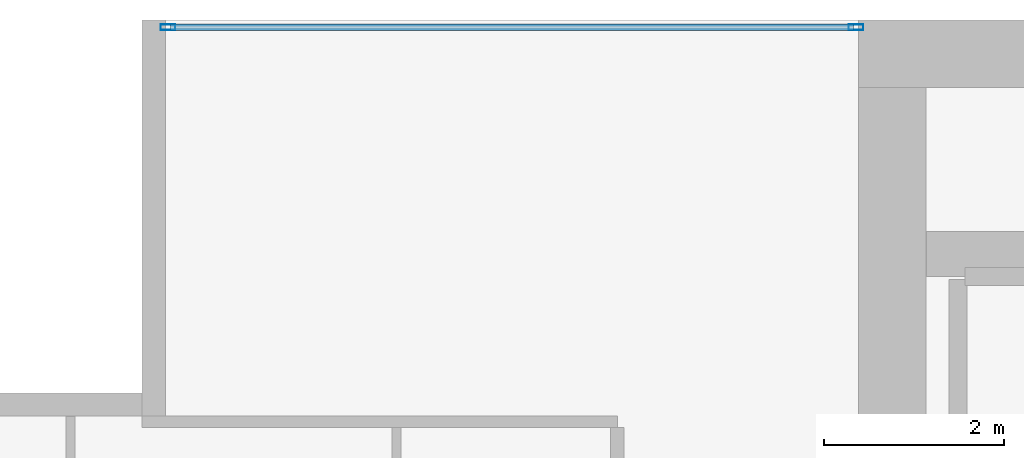
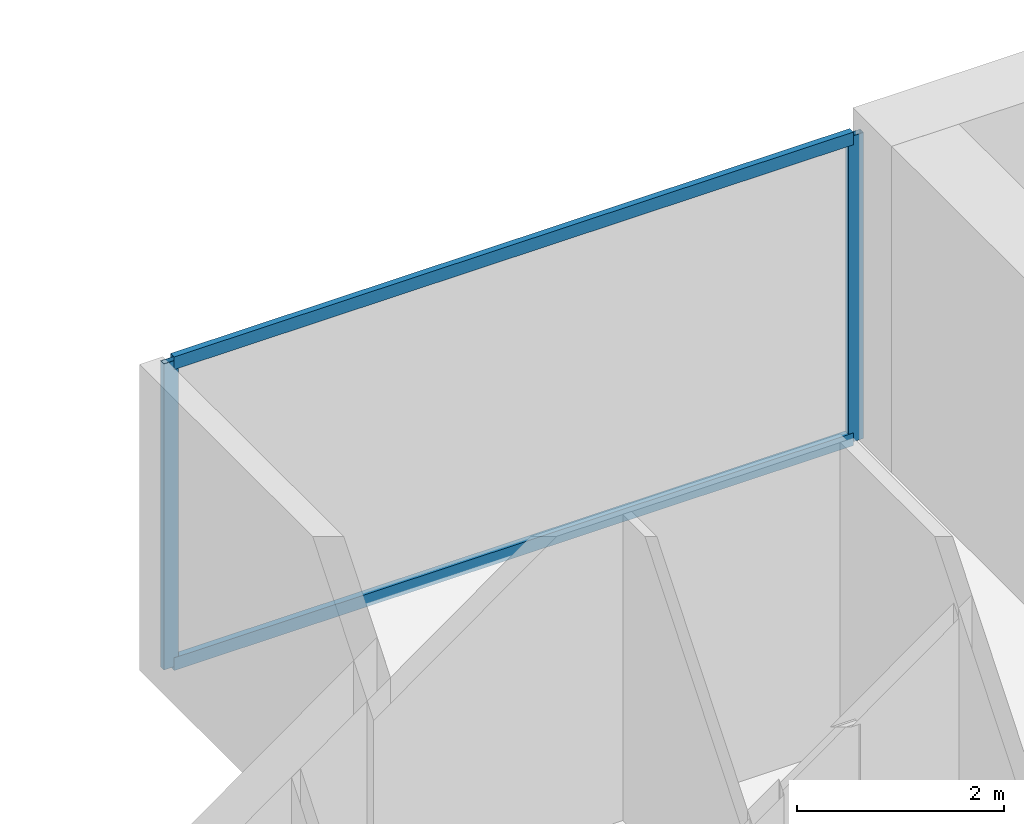
# One storey, part 22 of 32: 4 members, 1 element without a shape of its own.
"""IFC4 building model written with IfcOpenShell, lengths in metres."""

from ifc_helpers import new_model, si_unit, direction, frame, origin, origin_2d, place, context, subcontext, project, spatial, hollow_rectangle, extrude, material, layer, layer_set, material_profile, profile_set, type_object, element, aggregate, save


model = new_model("IFC4")

# Units and contexts
model_context = context("Model", 3, precision=1e-05, world=origin(), true_north=direction((0.0, 1.0)))
body_context = subcontext(model_context, "Body", "Model", "MODEL_VIEW")
ifc_project = project(units=[si_unit("LENGTHUNIT", "METRE"), si_unit("AREAUNIT", "SQUARE_METRE"), si_unit("VOLUMEUNIT", "CUBIC_METRE"), si_unit("PLANEANGLEUNIT", "RADIAN"), si_unit("MASSUNIT", "GRAM", prefix="KILO")], contexts=[model_context])

# Site, building, storey
site_placement = place(None, origin())
site = spatial("IfcSite", under=ifc_project, at=site_placement, CompositionType="ELEMENT")
building_placement = place(site_placement, origin())
building = spatial("IfcBuilding", under=site, at=building_placement, Name="Maruvema Waterfront Hotel and Observation Tower", CompositionType="ELEMENT")
storey_placement = place(building_placement, frame((0.0, 0.0, 219.800048828125)))
storey = spatial("IfcBuildingStorey", under=building, at=storey_placement, Name="L54", CompositionType="ELEMENT", Elevation=219.800048828125)

# Curtain wall, members
ifc_material_1 = material(Name="Anodised bronze aluminium and solar-control low-E IGU", Category="aluminium")
ifc_layer = layer(ifc_material_1, 0.159912109375, Name="Zone 2 Amber Inner Thermal Curtain Wall System CW-03")
ifc_layer_set = layer_set([ifc_layer], Name="Anodised bronze aluminium and solar-control low-E IGU")
curtain_wall_type = type_object("IfcCurtainWallType", Name="Zone 2 Amber Inner Thermal Curtain Wall System CW-03", PredefinedType="USERDEFINED", material=ifc_layer_set)
curtain_wall_placement = place(storey_placement, origin())
curtain_wall = element("IfcCurtainWall", 1, at=curtain_wall_placement, inside=storey, type_object=curtain_wall_type, Name="L54 Curtain Wall CW-L54-NW", ObjectType="UNITISED CURTAIN WALL", PredefinedType="USERDEFINED")
ifc_material_2 = material(Name="Anodised architectural bronze aluminium", Category="aluminium")
ifc_material_profile_1 = material_profile(ifc_material_2, hollow_rectangle(XDim=0.070068359375, YDim=0.14990234375, WallThickness=0.00390625, at=origin_2d()), Name="ALU-T70x150")
ifc_profile_set_1 = profile_set([ifc_material_profile_1], Name="Anodised architectural bronze aluminium")
member_type_1 = type_object("IfcMemberType", Name="Curtain Wall Horizontal Transom ALU-T70x150", PredefinedType="USERDEFINED", material=ifc_profile_set_1)
member_1_placement = place(storey_placement, frame((25.139892578125, 53.919921875, 0.030029296875), z_axis=(-1.0, 0.0, 0.0), x_axis=(0.0, -1.0, 0.0)))
member_1 = element("IfcMember", 2, at=member_1_placement, type_object=member_type_1, Name="CW-03 transom 1.1", ObjectType="TRANSOM", PredefinedType="USERDEFINED", context=body_context, shape_type="SweptSolid", body=[
    extrude(hollow_rectangle(XDim=0.070068359375, YDim=0.14990234375, WallThickness=0.00390625, at=origin_2d()), origin(), (0.0, 0.0, 1.0), 7.579833984375),
])
member_2_placement = place(storey_placement, frame((25.139892578125, 53.919921875, 3.579833984375), z_axis=(-1.0, 0.0, 0.0), x_axis=(0.0, -1.0, 0.0)))
member_2 = element("IfcMember", 3, at=member_2_placement, type_object=member_type_1, Name="CW-03 transom 1.2", ObjectType="TRANSOM", PredefinedType="USERDEFINED", context=body_context, shape_type="SweptSolid", body=[
    extrude(hollow_rectangle(XDim=0.070068359375, YDim=0.14990234375, WallThickness=0.00390625, at=origin_2d()), origin(), (0.0, 0.0, 1.0), 7.579833984375),
])
ifc_material_3 = material(Name="Anodised architectural bronze aluminium", Category="aluminium")
ifc_material_profile_2 = material_profile(ifc_material_3, hollow_rectangle(XDim=0.06494140625, YDim=0.1650390625, WallThickness=0.00390625, at=origin_2d()), Name="ALU-M65x165")
ifc_profile_set_2 = profile_set([ifc_material_profile_2], Name="Anodised architectural bronze aluminium")
member_type_2 = type_object("IfcMemberType", Name="Curtain Wall Primary Mullion ALU-M65x165", PredefinedType="MULLION", material=ifc_profile_set_2)
member_3_placement = place(storey_placement, frame((25.169921875, 53.919921875, 0.0), z_axis=(0.0, 0.0, 1.0), x_axis=(0.0, -1.0, 0.0)))
member_3 = element("IfcMember", 4, at=member_3_placement, type_object=member_type_2, Name="CW-03 mullion 1", PredefinedType="MULLION", context=body_context, shape_type="SweptSolid", body=[
    extrude(hollow_rectangle(XDim=0.06494140625, YDim=0.1650390625, WallThickness=0.00390625, at=origin_2d()), origin(), (0.0, 0.0, 1.0), 3.60986328125),
])
member_4_placement = place(storey_placement, frame((17.530029296875, 53.919921875, 0.0), z_axis=(0.0, 0.0, 1.0), x_axis=(0.0, -1.0, 0.0)))
member_4 = element("IfcMember", 5, at=member_4_placement, type_object=member_type_2, Name="CW-03 mullion 2", PredefinedType="MULLION", context=body_context, shape_type="SweptSolid", body=[
    extrude(hollow_rectangle(XDim=0.06494140625, YDim=0.1650390625, WallThickness=0.00390625, at=origin_2d()), origin(), (0.0, 0.0, 1.0), 3.60986328125),
])
aggregate(curtain_wall, [member_3, member_4, member_1, member_2])

save(model, "model.ifc")
